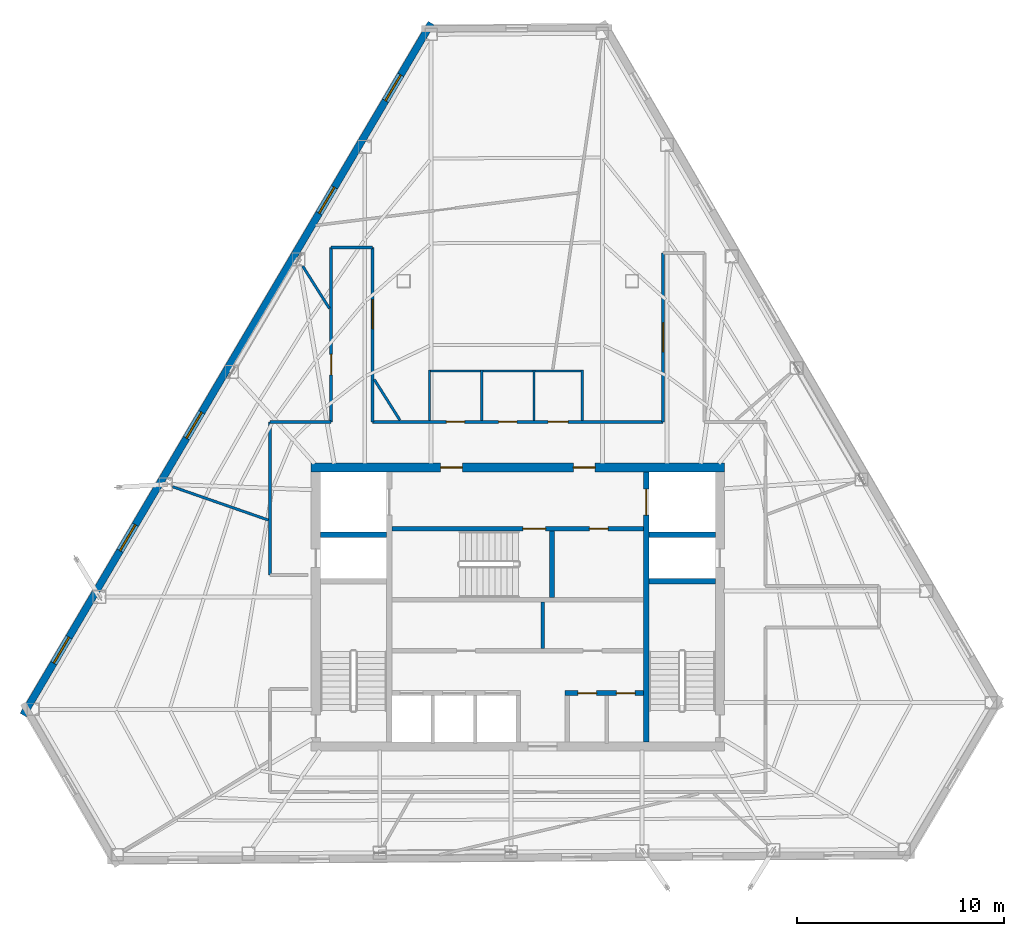
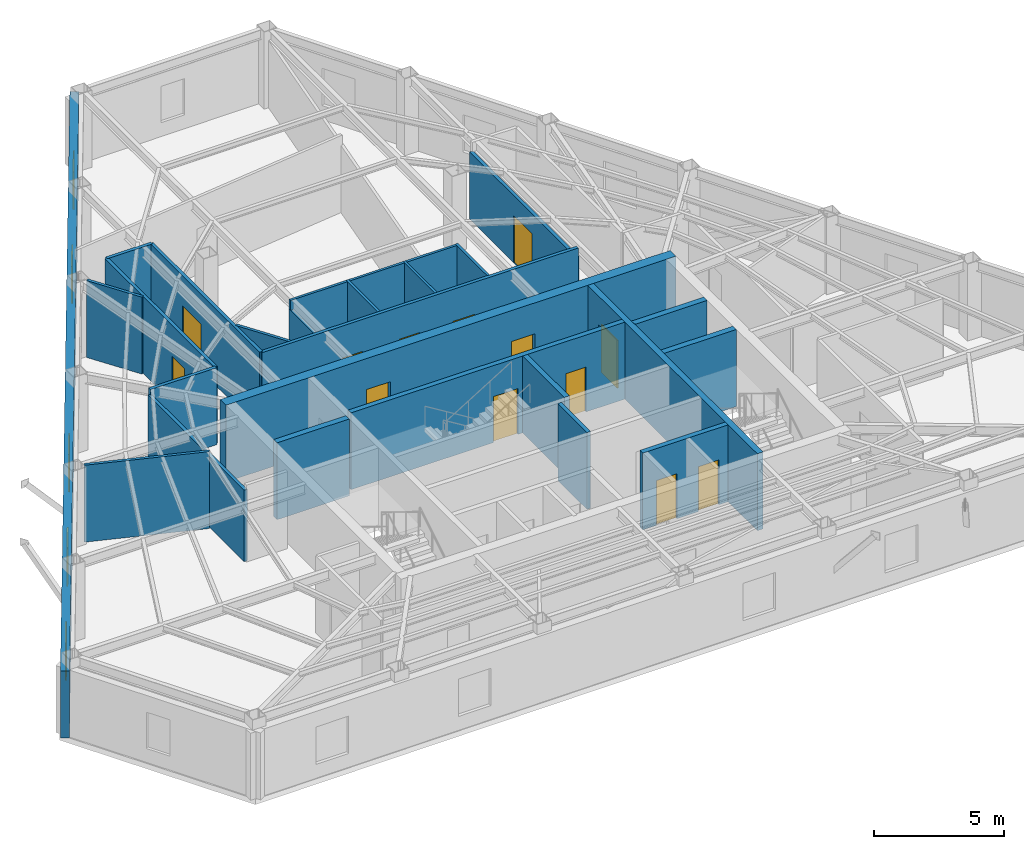
# One storey, part 8 of 10: 25 walls, 13 doors, 5 windows, 18 openings.
"""IFC4 building model written with IfcOpenShell, lengths in metres."""

from ifc_helpers import new_model, si_unit, direction, frame, frame_2d, origin, place, context, subcontext, project, spatial, rectangle, extrude, material, layer, layer_set, type_object, element, fill, save


model = new_model("IFC4")

# Units and contexts
model_context = context("Model", 3, precision=1e-05, world=origin(), true_north=direction((0.0, 1.0)))
body_context = subcontext(model_context, "Body", "Model", "MODEL_VIEW")
ifc_project = project(units=[si_unit("LENGTHUNIT", "METRE"), si_unit("AREAUNIT", "SQUARE_METRE"), si_unit("VOLUMEUNIT", "CUBIC_METRE"), si_unit("PLANEANGLEUNIT", "RADIAN"), si_unit("MASSUNIT", "GRAM", prefix="KILO")], contexts=[model_context])

# Site, building, storey
site_placement = place(None, origin())
site = spatial("IfcSite", under=ifc_project, at=site_placement, CompositionType="ELEMENT")
building_placement = place(site_placement, origin())
building = spatial("IfcBuilding", under=site, at=building_placement, Name="Kavelnor Concourse Tower", CompositionType="ELEMENT")
storey_placement = place(building_placement, frame((0.0, 0.0, 211.199951171875)))
storey = spatial("IfcBuildingStorey", under=building, at=storey_placement, Name="L53", CompositionType="ELEMENT", Elevation=211.199951171875)

# Wall, openings, doors
ifc_material_1 = material(Name="Concrete C50/60", Category="concrete")
ifc_layer_1 = layer(ifc_material_1, 0.43994140625, Name="Concrete C50/60")
ifc_layer_set_1 = layer_set([ifc_layer_1], Name="Concrete C50/60")
wall_type_1 = type_object("IfcWallType", Name="WL-CORE-Z3-440", PredefinedType="SOLIDWALL", material=ifc_layer_set_1)
wall_1_placement = place(storey_placement, frame((28.0400390625, 22.820068359375, 0.0), z_axis=(0.0, 0.0, 1.0), x_axis=(1.0, 0.0, 0.0)))
wall_1 = element("IfcWall", 1, at=wall_1_placement, inside=storey, type_object=wall_type_1, Name="L53 Central Core North Shear Wall", PredefinedType="SOLIDWALL", context=body_context, shape_type="SweptSolid", body=[
    extrude(rectangle(XDim=19.919921875, YDim=0.43994140625, at=frame_2d((9.9599609375, 0.0))), origin(), (0.0, 0.0, 1.0), 3.60009765625),
])
opening_1_placement = place(wall_1_placement, frame((6.235107421875, 0.0, 0.0)))
opening_1 = element("IfcOpeningElement", 2, at=opening_1_placement, cuts=wall_1, Name="Opening FD-105", PredefinedType="OPENING", context=body_context, shape_type="SweptSolid", body=[
    extrude(rectangle(XDim=1.050048828125, YDim=2.14990234375, at=frame_2d((0.52490234375, 1.074951171875))), frame((0.0, 0.22998046875, 0.0), z_axis=(0.0, -1.0, 0.0), x_axis=(1.0, 0.0, 0.0)), (0.0, 0.0, 1.0), 0.4599609375),
])
opening_2_placement = place(wall_1_placement, frame((12.635009765625, 0.0, 0.0)))
opening_2 = element("IfcOpeningElement", 3, at=opening_2_placement, cuts=wall_1, Name="Opening FD-105", PredefinedType="OPENING", context=body_context, shape_type="SweptSolid", body=[
    extrude(rectangle(XDim=1.050048828125, YDim=2.14990234375, at=frame_2d((0.52490234375, 1.074951171875))), frame((0.0, 0.22998046875, 0.0), z_axis=(0.0, -1.0, 0.0), x_axis=(1.0, 0.0, 0.0)), (0.0, 0.0, 1.0), 0.4599609375),
])
ifc_material_2 = material(Name="Steel Grade 350", Category="steel")
door_type_1 = type_object("IfcDoorType", Name="DR-LOBBY-FIRE-1050", OperationType="NOTDEFINED", PredefinedType="DOOR", material=ifc_material_2)
door_1_placement = place(opening_1_placement, origin())
door_1 = element("IfcDoor", 4, at=door_1_placement, inside=storey, type_object=door_type_1, Name="L53 Emergency Lift Lobby West Door", OperationType="SINGLE_SWING_LEFT", OverallHeight=2.14990234375, OverallWidth=1.050048828125, PredefinedType="DOOR", context=body_context, shape_type="SweptSolid", body=[
    extrude(rectangle(XDim=1.050048828125, YDim=2.14990234375, at=frame_2d((0.52490234375, 1.074951171875))), frame((0.0, 0.02490234375, 0.0), z_axis=(0.0, -1.0, 0.0), x_axis=(1.0, 0.0, 0.0)), (0.0, 0.0, 1.0), 0.050048828125),
])
fill(opening_1, door_1)
door_2_placement = place(opening_2_placement, origin())
door_2 = element("IfcDoor", 5, at=door_2_placement, inside=storey, type_object=door_type_1, Name="L53 Emergency Lift Lobby East Door", OperationType="SINGLE_SWING_RIGHT", OverallHeight=2.14990234375, OverallWidth=1.050048828125, PredefinedType="DOOR", context=body_context, shape_type="SweptSolid", body=[
    extrude(rectangle(XDim=1.050048828125, YDim=2.14990234375, at=frame_2d((0.52490234375, 1.074951171875))), frame((0.0, 0.02490234375, 0.0), z_axis=(0.0, -1.0, 0.0), x_axis=(1.0, 0.0, 0.0)), (0.0, 0.0, 1.0), 0.050048828125),
])
fill(opening_2, door_2)

# Wall, openings, windows
ifc_material_3 = material(Name="Red-ochre clay face brick masonry", Category="masonry")
ifc_layer_2 = layer(ifc_material_3, 0.35009765625, Name="Red-ochre clay face brick masonry")
ifc_layer_set_2 = layer_set([ifc_layer_2], Name="Red-ochre clay face brick masonry")
wall_type_2 = type_object("IfcWallType", Name="WL-EXT-RED-BRICK-PIER-350", PredefinedType="STANDARD", material=ifc_layer_set_2)
wall_2_placement = place(storey_placement, frame((14.15966796875, 10.887939453125, 0.0), z_axis=(0.0, 0.0, 1.0), x_axis=(0.508058913236, 0.861322321017, 0.0)))
wall_2 = element("IfcWall", 6, at=wall_2_placement, inside=storey, type_object=wall_type_2, Name="L53 Exterior Brick Facade Wall E1", PredefinedType="STANDARD", context=body_context, shape_type="SweptSolid", body=[
    extrude(rectangle(XDim=38.71826171875, YDim=0.35009765625, at=frame_2d((19.359130859375, 0.0))), origin(), (0.0, 0.0, 1.0), 3.132080078125),
])
opening_3_placement = place(wall_2_placement, frame((34.373779296875, 0.0, 0.64990234375)))
opening_3 = element("IfcOpeningElement", 7, at=opening_3_placement, cuts=wall_2, Name="Opening W-03", PredefinedType="OPENING", context=body_context, shape_type="SweptSolid", body=[
    extrude(rectangle(XDim=1.449951171875, YDim=1.75, at=frame_2d((0.72509765625, 0.875))), frame((0.0, 0.18505859375, 0.0), z_axis=(0.0, -1.0, 0.0), x_axis=(1.0, 0.0, 0.0)), (0.0, 0.0, 1.0), 0.3701171875),
])
opening_4_placement = place(wall_2_placement, frame((28.079833984375, 0.0, 0.64990234375)))
opening_4 = element("IfcOpeningElement", 8, at=opening_4_placement, cuts=wall_2, Name="Opening W-03", PredefinedType="OPENING", context=body_context, shape_type="SweptSolid", body=[
    extrude(rectangle(XDim=1.449951171875, YDim=1.75, at=frame_2d((0.72509765625, 0.875))), frame((0.0, 0.18505859375, 0.0), z_axis=(0.0, -1.0, 0.0), x_axis=(1.0, 0.0, 0.0)), (0.0, 0.0, 1.0), 0.3701171875),
])
opening_5_placement = place(wall_2_placement, frame((15.491455078125, 0.0, 0.64990234375)))
opening_5 = element("IfcOpeningElement", 9, at=opening_5_placement, cuts=wall_2, Name="Opening W-03", PredefinedType="OPENING", context=body_context, shape_type="SweptSolid", body=[
    extrude(rectangle(XDim=1.449951171875, YDim=1.75, at=frame_2d((0.72509765625, 0.875))), frame((0.0, 0.18505859375, 0.0), z_axis=(0.0, -1.0, 0.0), x_axis=(1.0, 0.0, 0.0)), (0.0, 0.0, 1.0), 0.3701171875),
])
opening_6_placement = place(wall_2_placement, frame((9.197265625, 0.0, 0.64990234375)))
opening_6 = element("IfcOpeningElement", 10, at=opening_6_placement, cuts=wall_2, Name="Opening W-03", PredefinedType="OPENING", context=body_context, shape_type="SweptSolid", body=[
    extrude(rectangle(XDim=1.449951171875, YDim=1.75, at=frame_2d((0.72509765625, 0.875))), frame((0.0, 0.18505859375, 0.0), z_axis=(0.0, -1.0, 0.0), x_axis=(1.0, 0.0, 0.0)), (0.0, 0.0, 1.0), 0.3701171875),
])
opening_7_placement = place(wall_2_placement, frame((2.903076171875, 0.0, 0.64990234375)))
opening_7 = element("IfcOpeningElement", 11, at=opening_7_placement, cuts=wall_2, Name="Opening W-03", PredefinedType="OPENING", context=body_context, shape_type="SweptSolid", body=[
    extrude(rectangle(XDim=1.449951171875, YDim=1.75, at=frame_2d((0.72509765625, 0.875))), frame((0.0, 0.18505859375, 0.0), z_axis=(0.0, -1.0, 0.0), x_axis=(1.0, 0.0, 0.0)), (0.0, 0.0, 1.0), 0.3701171875),
])
ifc_material_4 = material(Name="Double low-E argon insulated glazing", Category="glass")
window_type = type_object("IfcWindowType", Name="WIN-PIER-Z3-1500", PartitioningType="SINGLE_PANEL", PredefinedType="WINDOW", material=ifc_material_4)
window_1_placement = place(opening_3_placement, origin())
window_1 = element("IfcWindow", 12, at=window_1_placement, inside=storey, type_object=window_type, Name="L53 Deep-Set Brick Pier Window F0-B0", OverallHeight=1.75, OverallWidth=1.449951171875, PartitioningType="SINGLE_PANEL", PredefinedType="WINDOW", context=body_context, shape_type="SweptSolid", body=[
    extrude(rectangle(XDim=1.449951171875, YDim=1.75, at=frame_2d((0.72509765625, 0.875))), frame((0.0, 0.030029296875, 0.0), z_axis=(0.0, -1.0, 0.0), x_axis=(1.0, 0.0, 0.0)), (0.0, 0.0, 1.0), 0.06005859375),
])
fill(opening_3, window_1)
window_2_placement = place(opening_4_placement, origin())
window_2 = element("IfcWindow", 13, at=window_2_placement, inside=storey, type_object=window_type, Name="L53 Deep-Set Brick Pier Window F0-B1", OverallHeight=1.75, OverallWidth=1.449951171875, PartitioningType="SINGLE_PANEL", PredefinedType="WINDOW", context=body_context, shape_type="SweptSolid", body=[
    extrude(rectangle(XDim=1.449951171875, YDim=1.75, at=frame_2d((0.72509765625, 0.875))), frame((0.0, 0.030029296875, 0.0), z_axis=(0.0, -1.0, 0.0), x_axis=(1.0, 0.0, 0.0)), (0.0, 0.0, 1.0), 0.06005859375),
])
fill(opening_4, window_2)
window_3_placement = place(opening_5_placement, origin())
window_3 = element("IfcWindow", 14, at=window_3_placement, inside=storey, type_object=window_type, Name="L53 Deep-Set Brick Pier Window F0-B3", OverallHeight=1.75, OverallWidth=1.449951171875, PartitioningType="SINGLE_PANEL", PredefinedType="WINDOW", context=body_context, shape_type="SweptSolid", body=[
    extrude(rectangle(XDim=1.449951171875, YDim=1.75, at=frame_2d((0.72509765625, 0.875))), frame((0.0, 0.030029296875, 0.0), z_axis=(0.0, -1.0, 0.0), x_axis=(1.0, 0.0, 0.0)), (0.0, 0.0, 1.0), 0.06005859375),
])
fill(opening_5, window_3)
window_4_placement = place(opening_6_placement, origin())
window_4 = element("IfcWindow", 15, at=window_4_placement, inside=storey, type_object=window_type, Name="L53 Deep-Set Brick Pier Window F0-B4", OverallHeight=1.75, OverallWidth=1.449951171875, PartitioningType="SINGLE_PANEL", PredefinedType="WINDOW", context=body_context, shape_type="SweptSolid", body=[
    extrude(rectangle(XDim=1.449951171875, YDim=1.75, at=frame_2d((0.72509765625, 0.875))), frame((0.0, 0.030029296875, 0.0), z_axis=(0.0, -1.0, 0.0), x_axis=(1.0, 0.0, 0.0)), (0.0, 0.0, 1.0), 0.06005859375),
])
fill(opening_6, window_4)
window_5_placement = place(opening_7_placement, origin())
window_5 = element("IfcWindow", 16, at=window_5_placement, inside=storey, type_object=window_type, Name="L53 Deep-Set Brick Pier Window F0-B5", OverallHeight=1.75, OverallWidth=1.449951171875, PartitioningType="SINGLE_PANEL", PredefinedType="WINDOW", context=body_context, shape_type="SweptSolid", body=[
    extrude(rectangle(XDim=1.449951171875, YDim=1.75, at=frame_2d((0.72509765625, 0.875))), frame((0.0, 0.030029296875, 0.0), z_axis=(0.0, -1.0, 0.0), x_axis=(1.0, 0.0, 0.0)), (0.0, 0.0, 1.0), 0.06005859375),
])
fill(opening_7, window_5)

# Walls
ifc_material_5 = material(Name="Gypsum plasterboard on light-gauge steel studs", Category="steel")
ifc_layer_3 = layer(ifc_material_5, 0.14501953125, Name="Gypsum plasterboard on light-gauge steel studs")
ifc_layer_set_3 = layer_set([ifc_layer_3], Name="Gypsum plasterboard on light-gauge steel studs")
wall_type_3 = type_object("IfcWallType", Name="WL-INT-CORR-145", PredefinedType="PARTITIONING", material=ifc_layer_set_3)
wall_3_placement = place(storey_placement, frame((26.06005859375, 17.64990234375, 0.0), z_axis=(0.0, 0.0, 1.0), x_axis=(0.0, 1.0, 0.0)))
element("IfcWall", 17, at=wall_3_placement, inside=storey, type_object=wall_type_3, Name="L53 Corridor Wall WL-L53-CR-02", PredefinedType="PARTITIONING", context=body_context, shape_type="SweptSolid", body=[
    extrude(rectangle(XDim=7.3701171875, YDim=0.14501953125, at=frame_2d((3.68505859375, 0.0))), origin(), (0.0, 0.0, 1.0), 3.339111328125),
])
wall_4_placement = place(storey_placement, frame((26.06005859375, 25.02001953125, 0.0), z_axis=(0.0, 0.0, 1.0), x_axis=(1.0, 0.0, 0.0)))
element("IfcWall", 18, at=wall_4_placement, inside=storey, type_object=wall_type_3, Name="L53 Corridor Wall WL-L53-CR-03", PredefinedType="PARTITIONING", context=body_context, shape_type="SweptSolid", body=[
    extrude(rectangle(XDim=2.93994140625, YDim=0.14501953125, at=frame_2d((1.469970703125, 0.0))), origin(), (0.0, 0.0, 1.0), 3.60009765625),
])

# Wall, opening, door
wall_5_placement = place(storey_placement, frame((29.0, 25.02001953125, 0.0), z_axis=(0.0, 0.0, 1.0), x_axis=(0.0, 1.0, 0.0)))
wall_5 = element("IfcWall", 19, at=wall_5_placement, inside=storey, type_object=wall_type_3, Name="L53 Corridor Wall WL-L53-CR-04", PredefinedType="PARTITIONING", context=body_context, shape_type="SweptSolid", body=[
    extrude(rectangle(XDim=8.394775390625, YDim=0.14501953125, at=frame_2d((4.197265625, 0.0))), origin(), (0.0, 0.0, 1.0), 3.60009765625),
])
opening_8_placement = place(wall_5_placement, frame((2.268798828125, 0.0, 0.0)))
opening_8 = element("IfcOpeningElement", 20, at=opening_8_placement, cuts=wall_5, Name="Opening OD-098", PredefinedType="OPENING", context=body_context, shape_type="SweptSolid", body=[
    extrude(rectangle(XDim=0.97998046875, YDim=2.14990234375, at=frame_2d((0.489990234375, 1.074951171875))), frame((0.0, 0.08251953125, 0.0), z_axis=(0.0, -1.0, 0.0), x_axis=(1.0, 0.0, 0.0)), (0.0, 0.0, 1.0), 0.1650390625),
])
ifc_material_6 = material(Name="Solid-core hardwood timber", Category="wood")
door_type_2 = type_object("IfcDoorType", Name="DR-OFFICE-980", OperationType="NOTDEFINED", PredefinedType="DOOR", material=ifc_material_6)
door_3_placement = place(opening_8_placement, origin())
door_3 = element("IfcDoor", 21, at=door_3_placement, inside=storey, type_object=door_type_2, Name="L53 Building Staff Breakroom 05 Door", OperationType="SINGLE_SWING_LEFT", OverallHeight=2.14990234375, OverallWidth=0.97998046875, PredefinedType="DOOR", context=body_context, shape_type="SweptSolid", body=[
    extrude(rectangle(XDim=0.97998046875, YDim=2.14990234375, at=frame_2d((0.489990234375, 1.074951171875))), frame((0.0, 0.02490234375, 0.0), z_axis=(0.0, -1.0, 0.0), x_axis=(1.0, 0.0, 0.0)), (0.0, 0.0, 1.0), 0.050048828125),
])
fill(opening_8, door_3)

# Wall
wall_6_placement = place(storey_placement, frame((29.0, 33.414794921875, 0.0), z_axis=(0.0, 0.0, 1.0), x_axis=(1.0, 0.0, 0.0)))
element("IfcWall", 22, at=wall_6_placement, inside=storey, type_object=wall_type_3, Name="L53 Corridor Wall WL-L53-CR-05", PredefinedType="PARTITIONING", context=body_context, shape_type="SweptSolid", body=[
    extrude(rectangle(XDim=2.0, YDim=0.14501953125, at=frame_2d((1.0, 0.0))), origin(), (0.0, 0.0, 1.0), 3.60009765625),
])

# Wall, opening, door
wall_7_placement = place(storey_placement, frame((31.0, 33.414794921875, 0.0), z_axis=(0.0, 0.0, 1.0), x_axis=(0.0, -1.0, 0.0)))
wall_7 = element("IfcWall", 23, at=wall_7_placement, inside=storey, type_object=wall_type_3, Name="L53 Corridor Wall WL-L53-CR-06", PredefinedType="PARTITIONING", context=body_context, shape_type="SweptSolid", body=[
    extrude(rectangle(XDim=8.394775390625, YDim=0.14501953125, at=frame_2d((4.197265625, 0.0))), origin(), (0.0, 0.0, 1.0), 3.60009765625),
])
opening_9_placement = place(wall_7_placement, frame((2.501220703125, 0.0, 0.0)))
opening_9 = element("IfcOpeningElement", 24, at=opening_9_placement, cuts=wall_7, Name="Opening SD-140", PredefinedType="OPENING", context=body_context, shape_type="SweptSolid", body=[
    extrude(rectangle(XDim=1.39990234375, YDim=2.199951171875, at=frame_2d((0.699951171875, 1.10009765625))), frame((0.0, 0.08251953125, 0.0), z_axis=(0.0, -1.0, 0.0), x_axis=(1.0, 0.0, 0.0)), (0.0, 0.0, 1.0), 0.1650390625),
])
door_type_3 = type_object("IfcDoorType", Name="DR-SUITE-ENTRY-1400", OperationType="NOTDEFINED", PredefinedType="DOOR", material=ifc_material_6)
door_4_placement = place(opening_9_placement, origin())
door_4 = element("IfcDoor", 25, at=door_4_placement, inside=storey, type_object=door_type_3, Name="L53 Tenant Bookstore Retail Shop 03 Door", OperationType="SINGLE_SWING_LEFT", OverallHeight=2.199951171875, OverallWidth=1.39990234375, PredefinedType="DOOR", context=body_context, shape_type="SweptSolid", body=[
    extrude(rectangle(XDim=1.39990234375, YDim=2.199951171875, at=frame_2d((0.699951171875, 1.10009765625))), frame((0.0, 0.02490234375, 0.0), z_axis=(0.0, -1.0, 0.0), x_axis=(1.0, 0.0, 0.0)), (0.0, 0.0, 1.0), 0.050048828125),
])
fill(opening_9, door_4)

# Wall, openings, doors
wall_8_placement = place(storey_placement, frame((31.0, 25.02001953125, 0.0), z_axis=(0.0, 0.0, 1.0), x_axis=(1.0, 0.0, 0.0)))
wall_8 = element("IfcWall", 26, at=wall_8_placement, inside=storey, type_object=wall_type_3, Name="L53 Corridor Wall WL-L53-CR-07", PredefinedType="PARTITIONING", context=body_context, shape_type="SweptSolid", body=[
    extrude(rectangle(XDim=14.0, YDim=0.14501953125, at=frame_2d((7.0, 0.0))), origin(), (0.0, 0.0, 1.0), 3.60009765625),
])
opening_10_placement = place(wall_8_placement, frame((3.56005859375, 0.0, 0.0)))
opening_10 = element("IfcOpeningElement", 27, at=opening_10_placement, cuts=wall_8, Name="Opening WD-088", PredefinedType="OPENING", context=body_context, shape_type="SweptSolid", body=[
    extrude(rectangle(XDim=0.8798828125, YDim=2.10009765625, at=frame_2d((0.43994140625, 1.050048828125))), frame((0.0, 0.08251953125, 0.0), z_axis=(0.0, -1.0, 0.0), x_axis=(1.0, 0.0, 0.0)), (0.0, 0.0, 1.0), 0.1650390625),
])
opening_11_placement = place(wall_8_placement, frame((6.080078125, 0.0, 0.0)))
opening_11 = element("IfcOpeningElement", 28, at=opening_11_placement, cuts=wall_8, Name="Opening WD-088", PredefinedType="OPENING", context=body_context, shape_type="SweptSolid", body=[
    extrude(rectangle(XDim=0.8798828125, YDim=2.10009765625, at=frame_2d((0.43994140625, 1.050048828125))), frame((0.0, 0.08251953125, 0.0), z_axis=(0.0, -1.0, 0.0), x_axis=(1.0, 0.0, 0.0)), (0.0, 0.0, 1.0), 0.1650390625),
])
opening_12_placement = place(wall_8_placement, frame((8.4599609375, 0.0, 0.0)))
opening_12 = element("IfcOpeningElement", 29, at=opening_12_placement, cuts=wall_8, Name="Opening WD-096", PredefinedType="OPENING", context=body_context, shape_type="SweptSolid", body=[
    extrude(rectangle(XDim=0.9599609375, YDim=2.10009765625, at=frame_2d((0.47998046875, 1.050048828125))), frame((0.0, 0.08251953125, 0.0), z_axis=(0.0, -1.0, 0.0), x_axis=(1.0, 0.0, 0.0)), (0.0, 0.0, 1.0), 0.1650390625),
])
door_type_4 = type_object("IfcDoorType", Name="DR-WC-ACC-960", OperationType="NOTDEFINED", PredefinedType="DOOR", material=ifc_material_6)
door_5_placement = place(opening_12_placement, origin())
door_5 = element("IfcDoor", 30, at=door_5_placement, inside=storey, type_object=door_type_4, Name="L53 Accessible WC Door", OperationType="SINGLE_SWING_RIGHT", OverallHeight=2.10009765625, OverallWidth=0.9599609375, PredefinedType="DOOR", context=body_context, shape_type="SweptSolid", body=[
    extrude(rectangle(XDim=0.9599609375, YDim=2.10009765625, at=frame_2d((0.47998046875, 1.050048828125))), frame((0.0, 0.02490234375, 0.0), z_axis=(0.0, -1.0, 0.0), x_axis=(1.0, 0.0, 0.0)), (0.0, 0.0, 1.0), 0.050048828125),
])
fill(opening_12, door_5)
door_type_5 = type_object("IfcDoorType", Name="DR-WC-STD-880", OperationType="NOTDEFINED", PredefinedType="DOOR", material=ifc_material_6)
door_6_placement = place(opening_10_placement, origin())
door_6 = element("IfcDoor", 31, at=door_6_placement, inside=storey, type_object=door_type_5, Name="L53 Male WC Door", OperationType="SINGLE_SWING_RIGHT", OverallHeight=2.10009765625, OverallWidth=0.8798828125, PredefinedType="DOOR", context=body_context, shape_type="SweptSolid", body=[
    extrude(rectangle(XDim=0.8798828125, YDim=2.10009765625, at=frame_2d((0.43994140625, 1.050048828125))), frame((0.0, 0.02490234375, 0.0), z_axis=(0.0, -1.0, 0.0), x_axis=(1.0, 0.0, 0.0)), (0.0, 0.0, 1.0), 0.050048828125),
])
fill(opening_10, door_6)
door_7_placement = place(opening_11_placement, origin())
door_7 = element("IfcDoor", 32, at=door_7_placement, inside=storey, type_object=door_type_5, Name="L53 Female WC Door", OperationType="SINGLE_SWING_LEFT", OverallHeight=2.10009765625, OverallWidth=0.8798828125, PredefinedType="DOOR", context=body_context, shape_type="SweptSolid", body=[
    extrude(rectangle(XDim=0.8798828125, YDim=2.10009765625, at=frame_2d((0.43994140625, 1.050048828125))), frame((0.0, 0.02490234375, 0.0), z_axis=(0.0, -1.0, 0.0), x_axis=(1.0, 0.0, 0.0)), (0.0, 0.0, 1.0), 0.050048828125),
])
fill(opening_11, door_7)

# Wall, opening, door
wall_9_placement = place(storey_placement, frame((45.0, 25.02001953125, 0.0), z_axis=(0.0, 0.0, 1.0), x_axis=(0.0, 1.0, 0.0)))
wall_9 = element("IfcWall", 33, at=wall_9_placement, inside=storey, type_object=wall_type_3, Name="L53 Corridor Wall WL-L53-CR-08", PredefinedType="PARTITIONING", context=body_context, shape_type="SweptSolid", body=[
    extrude(rectangle(XDim=8.133056640625, YDim=0.14501953125, at=frame_2d((4.06640625, 0.0))), origin(), (0.0, 0.0, 1.0), 3.14111328125),
])
opening_13_placement = place(wall_9_placement, frame((3.366455078125, 0.0, 0.0)))
opening_13 = element("IfcOpeningElement", 34, at=opening_13_placement, cuts=wall_9, Name="Opening SD-140", PredefinedType="OPENING", context=body_context, shape_type="SweptSolid", body=[
    extrude(rectangle(XDim=1.39990234375, YDim=2.199951171875, at=frame_2d((0.699951171875, 1.10009765625))), frame((0.0, 0.08251953125, 0.0), z_axis=(0.0, -1.0, 0.0), x_axis=(1.0, 0.0, 0.0)), (0.0, 0.0, 1.0), 0.1650390625),
])
door_8_placement = place(opening_13_placement, origin())
door_8 = element("IfcDoor", 35, at=door_8_placement, inside=storey, type_object=door_type_3, Name="L53 Staff Breakout Pantry 02 Door", OperationType="SINGLE_SWING_RIGHT", OverallHeight=2.199951171875, OverallWidth=1.39990234375, PredefinedType="DOOR", context=body_context, shape_type="SweptSolid", body=[
    extrude(rectangle(XDim=1.39990234375, YDim=2.199951171875, at=frame_2d((0.699951171875, 1.10009765625))), frame((0.0, 0.02490234375, 0.0), z_axis=(0.0, -1.0, 0.0), x_axis=(1.0, 0.0, 0.0)), (0.0, 0.0, 1.0), 0.050048828125),
])
fill(opening_13, door_8)

# Walls
ifc_layer_4 = layer(ifc_material_5, 0.1650390625, Name="Gypsum plasterboard on light-gauge steel studs")
ifc_layer_set_4 = layer_set([ifc_layer_4], Name="Gypsum plasterboard on light-gauge steel studs")
wall_type_4 = type_object("IfcWallType", Name="WL-INT-FIRE-165", PredefinedType="PARTITIONING", material=ifc_layer_set_4)
wall_10_placement = place(storey_placement, frame((39.199951171875, 14.10009765625, 0.0), z_axis=(0.0, 0.0, 1.0), x_axis=(0.0, 1.0, 0.0)))
element("IfcWall", 36, at=wall_10_placement, inside=storey, type_object=wall_type_4, Name="L53 Reclaimed Core Partition C", PredefinedType="PARTITIONING", context=body_context, shape_type="SweptSolid", body=[
    extrude(rectangle(XDim=2.239990234375, YDim=0.1650390625, at=frame_2d((1.1201171875, 0.0))), origin(), (0.0, 0.0, 1.0), 3.60009765625),
])
ifc_layer_5 = layer(ifc_material_5, 0.125, Name="Gypsum plasterboard on light-gauge steel studs")
ifc_layer_set_5 = layer_set([ifc_layer_5], Name="Gypsum plasterboard on light-gauge steel studs")
wall_type_5 = type_object("IfcWallType", Name="WL-INT-SUITE-125", PredefinedType="PARTITIONING", material=ifc_layer_set_5)
wall_11_placement = place(storey_placement, frame((32.319091796875, 25.1005859375, 0.0), z_axis=(0.0, 0.0, 1.0), x_axis=(-0.533719839568, 0.845661358259, 0.0)))
element("IfcWall", 37, at=wall_11_placement, inside=storey, type_object=wall_type_5, Name="L53 Radial Suite Partition 04", PredefinedType="PARTITIONING", context=body_context, shape_type="SweptSolid", body=[
    extrude(rectangle(XDim=2.320556640625, YDim=0.125, at=frame_2d((1.16015625, 0.0))), origin(), (0.0, 0.0, 1.0), 3.60009765625),
])
wall_12_placement = place(storey_placement, frame((28.91943359375, 30.487060546875, 0.0), z_axis=(0.0, 0.0, 1.0), x_axis=(-0.533741092176, 0.845647944787, 0.0)))
element("IfcWall", 38, at=wall_12_placement, inside=storey, type_object=wall_type_5, Name="L53 Radial Suite Partition 04", PredefinedType="PARTITIONING", context=body_context, shape_type="SweptSolid", body=[
    extrude(rectangle(XDim=2.406982421875, YDim=0.125, at=frame_2d((1.20361328125, 0.0))), origin(), (0.0, 0.0, 1.0), 3.60009765625),
])
wall_13_placement = place(storey_placement, frame((25.9794921875, 20.28515625, 0.0), z_axis=(0.0, 0.0, 1.0), x_axis=(-0.944391705218, 0.328822607366, 0.0)))
element("IfcWall", 39, at=wall_13_placement, inside=storey, type_object=wall_type_5, Name="L53 Radial Suite Partition 05", PredefinedType="PARTITIONING", context=body_context, shape_type="SweptSolid", body=[
    extrude(rectangle(XDim=4.891357421875, YDim=0.125, at=frame_2d((2.44580078125, 0.0))), origin(), (0.0, 0.0, 1.0), 3.60009765625),
])
ifc_layer_6 = layer(ifc_material_5, 0.110107421875, Name="Gypsum plasterboard on light-gauge steel studs")
ifc_layer_set_6 = layer_set([ifc_layer_6], Name="Gypsum plasterboard on light-gauge steel studs")
wall_type_6 = type_object("IfcWallType", Name="WL-INT-WC-110", PredefinedType="PLUMBINGWALL", material=ifc_layer_set_6)
wall_14_placement = place(storey_placement, frame((33.739990234375, 25.090087890625, 0.0), z_axis=(0.0, 0.0, 1.0), x_axis=(0.0, 1.0, 0.0)))
element("IfcWall", 40, at=wall_14_placement, inside=storey, type_object=wall_type_6, Name="L53 Sanitary Partition WL-L53-WC-W", PredefinedType="PLUMBINGWALL", context=body_context, shape_type="SweptSolid", body=[
    extrude(rectangle(XDim=2.43994140625, YDim=0.110107421875, at=frame_2d((1.219970703125, 0.0))), origin(), (0.0, 0.0, 1.0), 3.14111328125),
])
for number, where, z_axis, x_axis, name in (
    (41, (36.260009765625, 25.090087890625, 0.0), (0.0, 0.0, 1.0), (0.0, 1.0, 0.0), "L53 Sanitary Partition WL-L53-WC-D1"),
    (42, (38.780029296875, 25.090087890625, 0.0), (0.0, 0.0, 1.0), (0.0, 1.0, 0.0), "L53 Sanitary Partition WL-L53-WC-D2"),
    (43, (41.10009765625, 25.090087890625, 0.0), (0.0, 0.0, 1.0), (0.0, 1.0, 0.0), "L53 Sanitary Partition WL-L53-WC-E"),
):
    element("IfcWall", number, at=place(storey_placement, frame(where, z_axis=z_axis, x_axis=x_axis)), inside=storey, type_object=wall_type_6, Name=name, PredefinedType="PLUMBINGWALL", context=body_context, shape_type="SweptSolid", body=[
        extrude(rectangle(XDim=2.43994140625, YDim=0.110107421875, at=frame_2d((1.219970703125, 0.0))), origin(), (0.0, 0.0, 1.0), 3.60009765625),
    ])
wall_15_placement = place(storey_placement, frame((33.68994140625, 27.469970703125, 0.0), z_axis=(0.0, 0.0, 1.0), x_axis=(1.0, 0.0, 0.0)))
element("IfcWall", 44, at=wall_15_placement, inside=storey, type_object=wall_type_6, Name="L53 Sanitary Partition WL-L53-WC-N", PredefinedType="PLUMBINGWALL", context=body_context, shape_type="SweptSolid", body=[
    extrude(rectangle(XDim=7.4599609375, YDim=0.110107421875, at=frame_2d((3.72998046875, 0.0))), origin(), (0.0, 0.0, 1.0), 3.60009765625),
])

# Wall, openings, doors
ifc_layer_7 = layer(ifc_material_1, 0.219970703125, Name="Concrete C50/60")
ifc_layer_set_7 = layer_set([ifc_layer_7], Name="Concrete C50/60")
wall_type_7 = type_object("IfcWallType", Name="WL-SHAFT-220", PredefinedType="SOLIDWALL", material=ifc_layer_set_7)
wall_16_placement = place(storey_placement, frame((31.93994140625, 19.8701171875, 0.0), z_axis=(0.0, 0.0, 1.0), x_axis=(1.0, 0.0, 0.0)))
wall_16 = element("IfcWall", 45, at=wall_16_placement, inside=storey, type_object=wall_type_7, Name="L53 Emergency Lift Lobby South Wall", PredefinedType="SOLIDWALL", context=body_context, shape_type="SweptSolid", body=[
    extrude(rectangle(XDim=12.1201171875, YDim=0.219970703125, at=frame_2d((6.06005859375, 0.0))), origin(), (0.0, 0.0, 1.0), 3.60009765625),
])
opening_14_placement = place(wall_16_placement, frame((6.300048828125, 0.0, 0.0)))
opening_14 = element("IfcOpeningElement", 46, at=opening_14_placement, cuts=wall_16, Name="Opening FD-110", PredefinedType="OPENING", context=body_context, shape_type="SweptSolid", body=[
    extrude(rectangle(XDim=1.10009765625, YDim=2.14990234375, at=frame_2d((0.550048828125, 1.074951171875))), frame((0.0, 0.1201171875, 0.0), z_axis=(0.0, -1.0, 0.0), x_axis=(1.0, 0.0, 0.0)), (0.0, 0.0, 1.0), 0.239990234375),
])
opening_15_placement = place(wall_16_placement, frame((9.510009765625, 0.0, 0.0)))
opening_15 = element("IfcOpeningElement", 47, at=opening_15_placement, cuts=wall_16, Name="Opening FD-090", PredefinedType="OPENING", context=body_context, shape_type="SweptSolid", body=[
    extrude(rectangle(XDim=0.89990234375, YDim=2.10009765625, at=frame_2d((0.449951171875, 1.050048828125))), frame((0.0, 0.1201171875, 0.0), z_axis=(0.0, -1.0, 0.0), x_axis=(1.0, 0.0, 0.0)), (0.0, 0.0, 1.0), 0.239990234375),
])
door_type_6 = type_object("IfcDoorType", Name="DR-RISER-FIRE-900", OperationType="NOTDEFINED", PredefinedType="DOOR", material=ifc_material_2)
door_9_placement = place(opening_15_placement, origin())
door_9 = element("IfcDoor", 48, at=door_9_placement, inside=storey, type_object=door_type_6, Name="L53 Electrical Comms Door", OperationType="SINGLE_SWING_LEFT", OverallHeight=2.10009765625, OverallWidth=0.89990234375, PredefinedType="DOOR", context=body_context, shape_type="SweptSolid", body=[
    extrude(rectangle(XDim=0.89990234375, YDim=2.10009765625, at=frame_2d((0.449951171875, 1.050048828125))), frame((0.0, 0.02490234375, 0.0), z_axis=(0.0, -1.0, 0.0), x_axis=(1.0, 0.0, 0.0)), (0.0, 0.0, 1.0), 0.050048828125),
])
fill(opening_15, door_9)
door_type_7 = type_object("IfcDoorType", Name="DR-STAIR-FIRE-1100", OperationType="NOTDEFINED", PredefinedType="DOOR", material=ifc_material_2)
door_10_placement = place(opening_14_placement, origin())
door_10 = element("IfcDoor", 49, at=door_10_placement, inside=storey, type_object=door_type_7, Name="L53 Stair ST3 Fire Door", OperationType="SINGLE_SWING_LEFT", OverallHeight=2.14990234375, OverallWidth=1.10009765625, PredefinedType="DOOR", context=body_context, shape_type="SweptSolid", body=[
    extrude(rectangle(XDim=1.10009765625, YDim=2.14990234375, at=frame_2d((0.550048828125, 1.074951171875))), frame((0.0, 0.02490234375, 0.0), z_axis=(0.0, -1.0, 0.0), x_axis=(1.0, 0.0, 0.0)), (0.0, 0.0, 1.0), 0.050048828125),
])
fill(opening_14, door_10)

# Wall
wall_17_placement = place(storey_placement, frame((39.64990234375, 16.56005859375, 0.0), z_axis=(0.0, 0.0, 1.0), x_axis=(0.0, 1.0, 0.0)))
element("IfcWall", 50, at=wall_17_placement, inside=storey, type_object=wall_type_7, Name="L53 Stair ST3 East Core Wall", PredefinedType="SOLIDWALL", context=body_context, shape_type="SweptSolid", body=[
    extrude(rectangle(XDim=3.199951171875, YDim=0.219970703125, at=frame_2d((1.60009765625, 0.0))), origin(), (0.0, 0.0, 1.0), 3.60009765625),
])

# Wall, openings, doors
wall_18_placement = place(storey_placement, frame((40.280029296875, 11.949951171875, 0.0), z_axis=(0.0, 0.0, 1.0), x_axis=(1.0, 0.0, 0.0)))
wall_18 = element("IfcWall", 51, at=wall_18_placement, inside=storey, type_object=wall_type_7, Name="L53 Core South Support North Wall", PredefinedType="SOLIDWALL", context=body_context, shape_type="SweptSolid", body=[
    extrude(rectangle(XDim=3.780029296875, YDim=0.219970703125, at=frame_2d((1.89013671875, 0.0))), origin(), (0.0, 0.0, 1.0), 3.60009765625),
])
opening_16_placement = place(wall_18_placement, frame((0.6201171875, 0.0, 0.0)))
opening_16 = element("IfcOpeningElement", 52, at=opening_16_placement, cuts=wall_18, Name="Opening FD-090", PredefinedType="OPENING", context=body_context, shape_type="SweptSolid", body=[
    extrude(rectangle(XDim=0.89990234375, YDim=2.10009765625, at=frame_2d((0.449951171875, 1.050048828125))), frame((0.0, 0.1201171875, 0.0), z_axis=(0.0, -1.0, 0.0), x_axis=(1.0, 0.0, 0.0)), (0.0, 0.0, 1.0), 0.239990234375),
])
opening_17_placement = place(wall_18_placement, frame((2.469970703125, 0.0, 0.0)))
opening_17 = element("IfcOpeningElement", 53, at=opening_17_placement, cuts=wall_18, Name="Opening FD-090", PredefinedType="OPENING", context=body_context, shape_type="SweptSolid", body=[
    extrude(rectangle(XDim=0.89990234375, YDim=2.10009765625, at=frame_2d((0.449951171875, 1.050048828125))), frame((0.0, 0.1201171875, 0.0), z_axis=(0.0, -1.0, 0.0), x_axis=(1.0, 0.0, 0.0)), (0.0, 0.0, 1.0), 0.239990234375),
])
door_11_placement = place(opening_16_placement, origin())
door_11 = element("IfcDoor", 54, at=door_11_placement, inside=storey, type_object=door_type_6, Name="L53 Cleaner Cupboard Door", OperationType="SINGLE_SWING_RIGHT", OverallHeight=2.10009765625, OverallWidth=0.89990234375, PredefinedType="DOOR", context=body_context, shape_type="SweptSolid", body=[
    extrude(rectangle(XDim=0.89990234375, YDim=2.10009765625, at=frame_2d((0.449951171875, 1.050048828125))), frame((0.0, 0.02490234375, 0.0), z_axis=(0.0, -1.0, 0.0), x_axis=(1.0, 0.0, 0.0)), (0.0, 0.0, 1.0), 0.050048828125),
])
fill(opening_16, door_11)
door_12_placement = place(opening_17_placement, origin())
door_12 = element("IfcDoor", 55, at=door_12_placement, inside=storey, type_object=door_type_6, Name="L53 Supplies Store Door", OperationType="SINGLE_SWING_LEFT", OverallHeight=2.10009765625, OverallWidth=0.89990234375, PredefinedType="DOOR", context=body_context, shape_type="SweptSolid", body=[
    extrude(rectangle(XDim=0.89990234375, YDim=2.10009765625, at=frame_2d((0.449951171875, 1.050048828125))), frame((0.0, 0.02490234375, 0.0), z_axis=(0.0, -1.0, 0.0), x_axis=(1.0, 0.0, 0.0)), (0.0, 0.0, 1.0), 0.050048828125),
])
fill(opening_17, door_12)

# Wall, opening, door
ifc_layer_8 = layer(ifc_material_1, 0.260009765625, Name="Concrete C50/60")
ifc_layer_set_8 = layer_set([ifc_layer_8], Name="Concrete C50/60")
wall_type_8 = type_object("IfcWallType", Name="WL-SHAFT-260", PredefinedType="SHEAR", material=ifc_layer_set_8)
wall_19_placement = place(storey_placement, frame((44.18994140625, 9.60009765625, 0.0), z_axis=(0.0, 0.0, 1.0), x_axis=(0.0, 1.0, 0.0)))
wall_19 = element("IfcWall", 56, at=wall_19_placement, inside=storey, type_object=wall_type_8, Name="L53 Core East Wing Shear Wall", PredefinedType="SHEAR", context=body_context, shape_type="SweptSolid", body=[
    extrude(rectangle(XDim=13.0, YDim=0.260009765625, at=frame_2d((6.5, 0.0))), origin(), (0.0, 0.0, 1.0), 3.60009765625),
])
opening_18_placement = place(wall_19_placement, frame((10.925048828125, 0.0, 0.0)))
opening_18 = element("IfcOpeningElement", 57, at=opening_18_placement, cuts=wall_19, Name="Opening LD-125", PredefinedType="OPENING", context=body_context, shape_type="SweptSolid", body=[
    extrude(rectangle(XDim=1.25, YDim=2.25, at=frame_2d((0.625, 1.125))), frame((0.0, 0.14013671875, 0.0), z_axis=(0.0, -1.0, 0.0), x_axis=(1.0, 0.0, 0.0)), (0.0, 0.0, 1.0), 0.280029296875),
])
door_type_8 = type_object("IfcDoorType", Name="DR-LIFT-SLIDING-1250", OperationType="NOTDEFINED", PredefinedType="DOOR", material=ifc_material_2)
door_13_placement = place(opening_18_placement, origin())
door_13 = element("IfcDoor", 58, at=door_13_placement, inside=storey, type_object=door_type_8, Name="L53 Emergency Lift FL2 Landing Door", OperationType="DOUBLE_DOOR_SLIDING", OverallHeight=2.25, OverallWidth=1.25, PredefinedType="DOOR", context=body_context, shape_type="SweptSolid", body=[
    extrude(rectangle(XDim=1.25, YDim=2.25, at=frame_2d((0.625, 1.125))), frame((0.0, 0.02490234375, 0.0), z_axis=(0.0, -1.0, 0.0), x_axis=(1.0, 0.0, 0.0)), (0.0, 0.0, 1.0), 0.050048828125),
])
fill(opening_18, door_13)

# Walls
for number, where, z_axis, x_axis, name in (
    (59, (28.47998046875, 19.570068359375, 0.0), (0.0, 0.0, 1.0), (1.0, 0.0, 0.0), "L53 Emergency Lift FL1 South Shaft Wall"),
    (60, (44.320068359375, 17.330078125, 0.0), (0.0, 0.0, 1.0), (1.0, 0.0, 0.0), "L53 Stair ST2 North Shaft Wall"),
    (61, (44.320068359375, 19.570068359375, 0.0), (0.0, 0.0, 1.0), (1.0, 0.0, 0.0), "L53 Emergency Lift FL2 South Shaft Wall"),
):
    element("IfcWall", number, at=place(storey_placement, frame(where, z_axis=z_axis, x_axis=x_axis)), inside=storey, type_object=wall_type_8, Name=name, PredefinedType="SHEAR", context=body_context, shape_type="SweptSolid", body=[
        extrude(rectangle(XDim=3.199951171875, YDim=0.260009765625, at=frame_2d((1.60009765625, 0.0))), origin(), (0.0, 0.0, 1.0), 3.60009765625),
    ])

save(model, "model.ifc")
